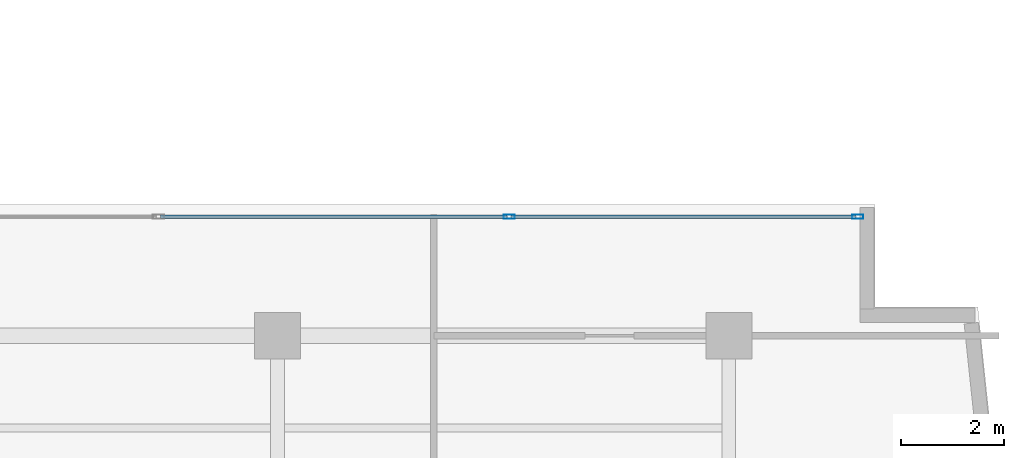
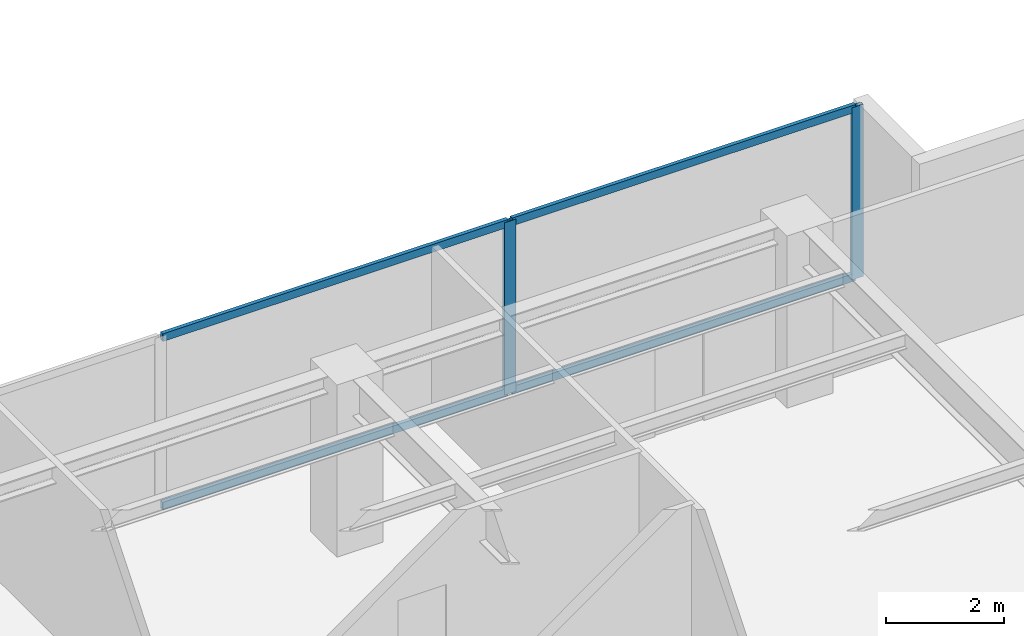
# One storey, part 12 of 22: 6 members, 1 element without a shape of its own.
"""IFC4 building model written with IfcOpenShell, lengths in metres."""

from ifc_helpers import new_model, si_unit, direction, frame, origin, origin_with_axes, origin_2d, place, context, subcontext, project, spatial, hollow_rectangle, extrude, source, transform, mapped, material, layer, layer_set, material_profile, profile_set, type_object, element, aggregate, save


model = new_model("IFC4")

# Units and contexts
model_context = context("Model", 3, precision=1e-05, world=origin(), true_north=direction((0.0, 1.0)))
body_context = subcontext(model_context, "Body", "Model", "MODEL_VIEW")
ifc_project = project(units=[si_unit("LENGTHUNIT", "METRE"), si_unit("AREAUNIT", "SQUARE_METRE"), si_unit("VOLUMEUNIT", "CUBIC_METRE"), si_unit("PLANEANGLEUNIT", "RADIAN"), si_unit("MASSUNIT", "GRAM", prefix="KILO")], contexts=[model_context])

# Site, building, storey
site_placement = place(None, origin())
site = spatial("IfcSite", under=ifc_project, at=site_placement, CompositionType="ELEMENT")
building_placement = place(site_placement, origin())
building = spatial("IfcBuilding", under=site, at=building_placement, Name="Kolvaren Waterfront Exchange", CompositionType="ELEMENT")
storey_placement = place(building_placement, frame((0.0, 0.0, 278.0)))
storey = spatial("IfcBuildingStorey", under=building, at=storey_placement, Name="L71", CompositionType="ELEMENT", Elevation=278.0)

# Curtain wall, members
ifc_material_1 = material(Name="Anodised bronze aluminium 6063-T6", Category="aluminium")
ifc_layer = layer(ifc_material_1, 0.219970703125, Name="Anodised bronze aluminium 6063-T6")
ifc_layer_set = layer_set([ifc_layer], Name="Anodised bronze aluminium 6063-T6")
curtain_wall_type = type_object("IfcCurtainWallType", Name="ARC-CW-SYS1", PredefinedType="USERDEFINED", material=ifc_layer_set)
curtain_wall_placement = place(storey_placement, origin())
curtain_wall = element("IfcCurtainWall", 1, at=curtain_wall_placement, inside=storey, type_object=curtain_wall_type, Name="L71 stick curtain wall CW1 (CW-L71-EN)", ObjectType="STICK CURTAIN WALL", PredefinedType="USERDEFINED")
ifc_material_2 = material(Name="Anodised aluminium 6063-T6", Category="aluminium")
ifc_material_profile_1 = material_profile(ifc_material_2, hollow_rectangle(XDim=0.080078125, YDim=0.219970703125, WallThickness=0.0048828125, at=origin_2d()), Name="ALU-MUL-220x80x5")
ifc_profile_set_1 = profile_set([ifc_material_profile_1], Name="Anodised aluminium 6063-T6")
member_type_1 = type_object("IfcMemberType", Name="ARC-CWM-220", PredefinedType="MULLION", material=ifc_profile_set_1)
shared_shape_1 = source(origin_with_axes(), body_context, "Body", "SweptSolid", [
    extrude(hollow_rectangle(XDim=0.080078125, YDim=0.219970703125, WallThickness=0.0048828125, at=origin_2d()), origin(), (0.0, 0.0, 1.0), 3.56005859375),
])
member_1_placement = place(storey_placement, frame((41.317626953125, 19.718017578125, 0.0), z_axis=(0.0, 0.0, 1.0), x_axis=(0.0, 1.0, 0.0)))
member_1 = element("IfcMember", 2, at=member_1_placement, type_object=member_type_1, Name="CW1 mullion 3", PredefinedType="MULLION", context=body_context, shape_type="MappedRepresentation", body=[
    mapped(shared_shape_1, transform((0.0, 0.0, 0.0), x_axis=(1.0, 0.0, 0.0), y_axis=(0.0, 1.0, 0.0), z_axis=(0.0, 0.0, 1.0), scale=1.0)),
])
member_2_placement = place(storey_placement, frame((48.112548828125, 19.718017578125, 0.0), z_axis=(0.0, 0.0, 1.0), x_axis=(0.0, 1.0, 0.0)))
member_2 = element("IfcMember", 3, at=member_2_placement, type_object=member_type_1, Name="CW1 mullion 4", PredefinedType="MULLION", context=body_context, shape_type="MappedRepresentation", body=[
    mapped(shared_shape_1, transform((0.0, 0.0, 0.0), x_axis=(1.0, 0.0, 0.0), y_axis=(0.0, 1.0, 0.0), z_axis=(0.0, 0.0, 1.0), scale=1.0)),
])
ifc_material_profile_2 = material_profile(ifc_material_2, hollow_rectangle(XDim=0.074951171875, YDim=0.159912109375, WallThickness=0.00439453125, at=origin_2d()), Name="ALU-TRN-160x75x4.5")
ifc_profile_set_2 = profile_set([ifc_material_profile_2], Name="Anodised aluminium 6063-T6")
member_type_2 = type_object("IfcMemberType", Name="ARC-CWT-160", PredefinedType="USERDEFINED", material=ifc_profile_set_2)
shared_shape_2 = source(origin_with_axes(), body_context, "Body", "SweptSolid", [
    extrude(hollow_rectangle(XDim=0.074951171875, YDim=0.159912109375, WallThickness=0.00439453125, at=origin_2d()), origin(), (0.0, 0.0, 1.0), 6.7548828125),
])
member_3_placement = place(storey_placement, frame((34.522705078125, 19.718017578125, 0.03759765625), z_axis=(1.0, 0.0, 0.0), x_axis=(0.0, 1.0, 0.0)))
member_3 = element("IfcMember", 4, at=member_3_placement, type_object=member_type_2, Name="CW1 transom 2.1", ObjectType="TRANSOM", PredefinedType="USERDEFINED", context=body_context, shape_type="MappedRepresentation", body=[
    mapped(shared_shape_2, transform((0.0, 0.0, 0.0), x_axis=(1.0, 0.0, 0.0), y_axis=(0.0, 1.0, 0.0), z_axis=(0.0, 0.0, 1.0), scale=1.0)),
])
member_4_placement = place(storey_placement, frame((34.522705078125, 19.718017578125, 3.5224609375), z_axis=(1.0, 0.0, 0.0), x_axis=(0.0, 1.0, 0.0)))
member_4 = element("IfcMember", 5, at=member_4_placement, type_object=member_type_2, Name="CW1 transom 2.2", ObjectType="TRANSOM", PredefinedType="USERDEFINED", context=body_context, shape_type="MappedRepresentation", body=[
    mapped(shared_shape_2, transform((0.0, 0.0, 0.0), x_axis=(1.0, 0.0, 0.0), y_axis=(0.0, 1.0, 0.0), z_axis=(0.0, 0.0, 1.0), scale=1.0)),
])
shared_shape_3 = source(origin_with_axes(), body_context, "Body", "SweptSolid", [
    extrude(hollow_rectangle(XDim=0.074951171875, YDim=0.159912109375, WallThickness=0.00439453125, at=origin_2d()), origin(), (0.0, 0.0, 1.0), 6.71484375),
])
member_5_placement = place(storey_placement, frame((41.357666015625, 19.718017578125, 0.03759765625), z_axis=(1.0, 0.0, 0.0), x_axis=(0.0, 1.0, 0.0)))
member_5 = element("IfcMember", 6, at=member_5_placement, type_object=member_type_2, Name="CW1 transom 3.1", ObjectType="TRANSOM", PredefinedType="USERDEFINED", context=body_context, shape_type="MappedRepresentation", body=[
    mapped(shared_shape_3, transform((0.0, 0.0, 0.0), x_axis=(1.0, 0.0, 0.0), y_axis=(0.0, 1.0, 0.0), z_axis=(0.0, 0.0, 1.0), scale=1.0)),
])
member_6_placement = place(storey_placement, frame((41.357666015625, 19.718017578125, 3.5224609375), z_axis=(1.0, 0.0, 0.0), x_axis=(0.0, 1.0, 0.0)))
member_6 = element("IfcMember", 7, at=member_6_placement, type_object=member_type_2, Name="CW1 transom 3.2", ObjectType="TRANSOM", PredefinedType="USERDEFINED", context=body_context, shape_type="MappedRepresentation", body=[
    mapped(shared_shape_3, transform((0.0, 0.0, 0.0), x_axis=(1.0, 0.0, 0.0), y_axis=(0.0, 1.0, 0.0), z_axis=(0.0, 0.0, 1.0), scale=1.0)),
])
aggregate(curtain_wall, [member_1, member_2, member_3, member_4, member_5, member_6])

save(model, "model.ifc")
